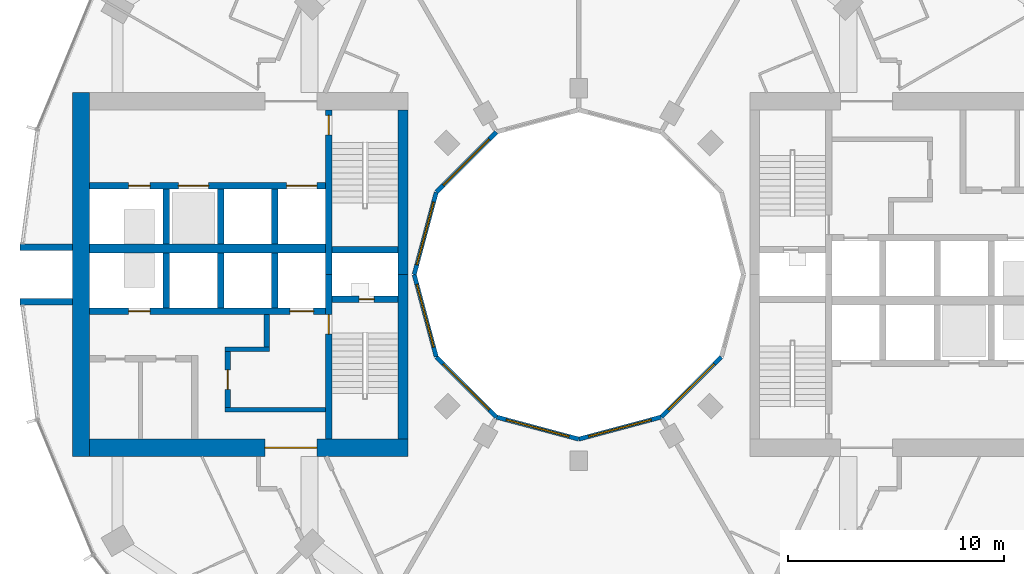
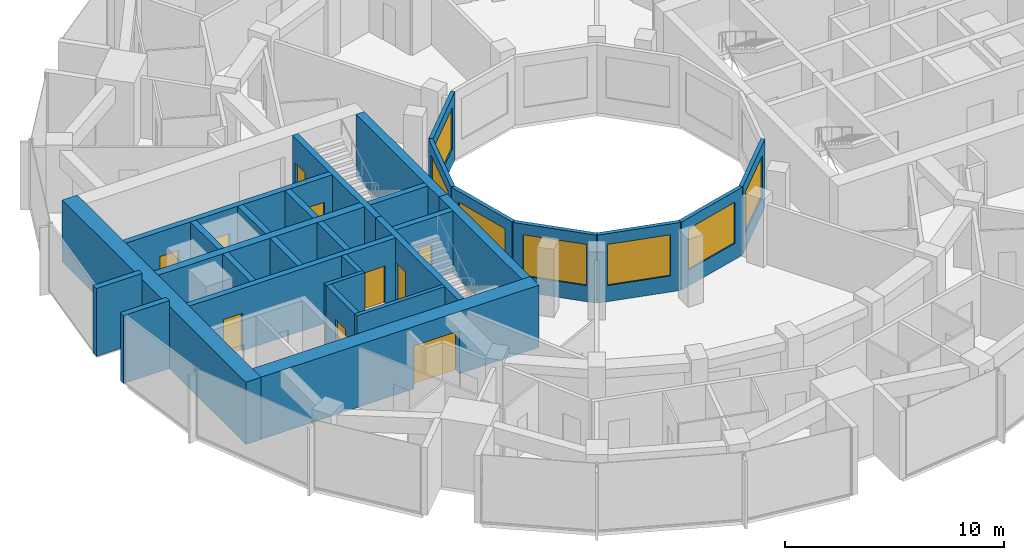
# One storey, part 9 of 15: 30 walls, 10 doors, 7 windows, 17 openings.
"""IFC4 building model written with IfcOpenShell, lengths in metres."""

from ifc_helpers import new_model, si_unit, direction, frame, frame_2d, origin, place, context, subcontext, project, spatial, rectangle, extrude, material, layer, layer_set, type_object, element, fill, save


model = new_model("IFC4")

# Units and contexts
model_context = context("Model", 3, precision=1e-05, world=origin(), true_north=direction((0.0, 1.0)))
body_context = subcontext(model_context, "Body", "Model", "MODEL_VIEW")
ifc_project = project(units=[si_unit("LENGTHUNIT", "METRE"), si_unit("AREAUNIT", "SQUARE_METRE"), si_unit("VOLUMEUNIT", "CUBIC_METRE"), si_unit("PLANEANGLEUNIT", "RADIAN"), si_unit("MASSUNIT", "GRAM", prefix="KILO")], contexts=[model_context])

# Site, building, storey
site_placement = place(None, origin())
site = spatial("IfcSite", under=ifc_project, at=site_placement, CompositionType="ELEMENT")
building_placement = place(site_placement, origin())
building = spatial("IfcBuilding", under=site, at=building_placement, Name="Torre Brocal", CompositionType="ELEMENT")
storey_placement = place(building_placement, frame((0.0, 0.0, 90.0)))
storey = spatial("IfcBuildingStorey", under=building, at=storey_placement, Name="L20", CompositionType="ELEMENT", Elevation=90.0)

# Walls
ifc_material_1 = material(Name="Concrete C80", Category="concrete")
ifc_layer_1 = layer(ifc_material_1, 0.199951171875)
ifc_layer_set_1 = layer_set([ifc_layer_1], Name="Concrete C80")
wall_type_1 = type_object("IfcWallType", Name="CORE WALL 200 C80", PredefinedType="SHEAR", material=ifc_layer_set_1)
wall_1_placement = place(storey_placement, frame((68.300048828125, 68.75, 0.0), z_axis=(0.0, 0.0, 1.0), x_axis=(-1.0, 0.0, 0.0)))
element("IfcWall", 1, at=wall_1_placement, inside=storey, type_object=wall_type_1, Name="Wall CW200-80", PredefinedType="SHEAR", context=body_context, shape_type="SweptSolid", body=[
    extrude(rectangle(XDim=4.650146484375, YDim=0.199951171875, at=frame_2d((2.3251953125, 0.0))), origin(), (0.0, 0.0, 1.0), 3.47998046875),
])
wall_2_placement = place(storey_placement, frame((65.699951171875, 71.550048828125, 0.0), z_axis=(0.0, 0.0, 1.0), x_axis=(-1.0, 0.0, 0.0)))
element("IfcWall", 2, at=wall_2_placement, inside=storey, type_object=wall_type_1, Name="Wall CW200-80", PredefinedType="SHEAR", context=body_context, shape_type="SweptSolid", body=[
    extrude(rectangle(XDim=2.050048828125, YDim=0.199951171875, at=frame_2d((1.02490234375, 0.0))), origin(), (0.0, 0.0, 1.0), 3.47998046875),
])

# Wall, opening, door
ifc_material_2 = material(Name="Concrete C80", Category="concrete")
ifc_layer_2 = layer(ifc_material_2, 0.25)
ifc_layer_set_2 = layer_set([ifc_layer_2], Name="Concrete C80")
wall_type_2 = type_object("IfcWallType", Name="CORE WALL 250 C80", PredefinedType="SHEAR", material=ifc_layer_set_2)
wall_3_placement = place(storey_placement, frame((63.77490234375, 71.449951171875, 0.0), z_axis=(0.0, 0.0, 1.0), x_axis=(0.0, -1.0, 0.0)))
wall_3 = element("IfcWall", 3, at=wall_3_placement, inside=storey, type_object=wall_type_2, Name="Wall CW250-80", PredefinedType="SHEAR", context=body_context, shape_type="SweptSolid", body=[
    extrude(rectangle(XDim=2.599853515625, YDim=0.25, at=frame_2d((1.2998046875, 0.0))), origin(), (0.0, 0.0, 1.0), 3.47998046875),
])
opening_1_placement = place(wall_3_placement, frame((0.85009765625, 0.0, 0.0)))
opening_1 = element("IfcOpeningElement", 4, at=opening_1_placement, cuts=wall_3, Name="Opening W-D15", PredefinedType="OPENING", context=body_context, shape_type="SweptSolid", body=[
    extrude(rectangle(XDim=0.89990234375, YDim=2.10009765625, at=frame_2d((0.449951171875, 1.050048828125))), frame((0.0, 0.135009765625, 0.0), z_axis=(0.0, -1.0, 0.0), x_axis=(1.0, 0.0, 0.0)), (0.0, 0.0, 1.0), 0.27001953125),
])
ifc_material_3 = material(Name="Steel A653", Category="steel")
door_type_1 = type_object("IfcDoorType", Name="LOBBY DOOR FD120 900X2100", OperationType="SINGLE_SWING_RIGHT", PredefinedType="DOOR", material=ifc_material_3)
door_1_placement = place(opening_1_placement, origin())
door_1 = element("IfcDoor", 5, at=door_1_placement, inside=storey, type_object=door_type_1, Name="Door W-D15", OperationType="SINGLE_SWING_LEFT", OverallHeight=2.10009765625, OverallWidth=0.89990234375, PredefinedType="DOOR", context=body_context, shape_type="SweptSolid", body=[
    extrude(rectangle(XDim=0.89990234375, YDim=2.10009765625, at=frame_2d((0.449951171875, 1.050048828125))), frame((0.0, 0.02490234375, 0.0), z_axis=(0.0, -1.0, 0.0), x_axis=(1.0, 0.0, 0.0)), (0.0, 0.0, 1.0), 0.050048828125),
])
fill(opening_1, door_1)

# Wall
wall_4_placement = place(storey_placement, frame((65.574951171875, 73.14990234375, 0.0), z_axis=(0.0, 0.0, 1.0), x_axis=(0.0, -1.0, 0.0)))
element("IfcWall", 6, at=wall_4_placement, inside=storey, type_object=wall_type_2, Name="Wall CW250-80", PredefinedType="SHEAR", context=body_context, shape_type="SweptSolid", body=[
    extrude(rectangle(XDim=1.5, YDim=0.25, at=frame_2d((0.75, 0.0))), origin(), (0.0, 0.0, 1.0), 3.47998046875),
])

# Wall, opening, door
ifc_material_4 = material(Name="Concrete C80", Category="concrete")
ifc_layer_3 = layer(ifc_material_4, 0.300048828125)
ifc_layer_set_3 = layer_set([ifc_layer_3], Name="Concrete C80")
wall_type_3 = type_object("IfcWallType", Name="CORE WALL 300 C80", PredefinedType="SHEAR", material=ifc_layer_set_3)
wall_5_placement = place(storey_placement, frame((68.449951171875, 75.0, 0.0), z_axis=(0.0, 0.0, 1.0), x_axis=(0.0, -1.0, 0.0)))
wall_5 = element("IfcWall", 7, at=wall_5_placement, inside=storey, type_object=wall_type_3, Name="Wall CW300-80", PredefinedType="SHEAR", context=body_context, shape_type="SweptSolid", body=[
    extrude(rectangle(XDim=7.60009765625, YDim=0.300048828125, at=frame_2d((3.800048828125, 0.0))), origin(), (0.0, 0.0, 1.0), 3.47998046875),
])
opening_2_placement = place(wall_5_placement, frame((1.85009765625, 0.0, 0.0)))
opening_2 = element("IfcOpeningElement", 8, at=opening_2_placement, cuts=wall_5, Name="Opening W-D02", PredefinedType="OPENING", context=body_context, shape_type="SweptSolid", body=[
    extrude(rectangle(XDim=0.89990234375, YDim=2.10009765625, at=frame_2d((0.449951171875, 1.050048828125))), frame((0.0, 0.159912109375, 0.0), z_axis=(0.0, -1.0, 0.0), x_axis=(1.0, 0.0, 0.0)), (0.0, 0.0, 1.0), 0.320068359375),
])
ifc_material_5 = material(Name="Steel A653", Category="steel")
door_type_2 = type_object("IfcDoorType", Name="STAIR DOOR FD120 900X2100", OperationType="SINGLE_SWING_RIGHT", PredefinedType="DOOR", material=ifc_material_5)
door_2_placement = place(opening_2_placement, origin())
door_2 = element("IfcDoor", 9, at=door_2_placement, inside=storey, type_object=door_type_2, Name="Door W-D02", OperationType="SINGLE_SWING_LEFT", OverallHeight=2.10009765625, OverallWidth=0.89990234375, PredefinedType="DOOR", context=body_context, shape_type="SweptSolid", body=[
    extrude(rectangle(XDim=0.89990234375, YDim=2.10009765625, at=frame_2d((0.449951171875, 1.050048828125))), frame((0.0, 0.02490234375, 0.0), z_axis=(0.0, -1.0, 0.0), x_axis=(1.0, 0.0, 0.0)), (0.0, 0.0, 1.0), 0.050048828125),
])
fill(opening_2, door_2)

wall_6_placement = place(storey_placement, frame((68.449951171875, 82.60009765625, 0.0), z_axis=(0.0, 0.0, 1.0), x_axis=(0.0, -1.0, 0.0)))
wall_6 = element("IfcWall", 10, at=wall_6_placement, inside=storey, type_object=wall_type_3, Name="Wall CW300-80", PredefinedType="SHEAR", context=body_context, shape_type="SweptSolid", body=[
    extrude(rectangle(XDim=7.60009765625, YDim=0.300048828125, at=frame_2d((3.800048828125, 0.0))), origin(), (0.0, 0.0, 1.0), 3.47998046875),
])
opening_3_placement = place(wall_6_placement, frame((0.25, 0.0, 0.0)))
opening_3 = element("IfcOpeningElement", 11, at=opening_3_placement, cuts=wall_6, Name="Opening W-D03", PredefinedType="OPENING", context=body_context, shape_type="SweptSolid", body=[
    extrude(rectangle(XDim=0.89990234375, YDim=2.10009765625, at=frame_2d((0.449951171875, 1.050048828125))), frame((0.0, 0.159912109375, 0.0), z_axis=(0.0, -1.0, 0.0), x_axis=(1.0, 0.0, 0.0)), (0.0, 0.0, 1.0), 0.320068359375),
])
door_3_placement = place(opening_3_placement, origin())
door_3 = element("IfcDoor", 12, at=door_3_placement, inside=storey, type_object=door_type_2, Name="Door W-D03", OperationType="SINGLE_SWING_LEFT", OverallHeight=2.10009765625, OverallWidth=0.89990234375, PredefinedType="DOOR", context=body_context, shape_type="SweptSolid", body=[
    extrude(rectangle(XDim=0.89990234375, YDim=2.10009765625, at=frame_2d((0.449951171875, 1.050048828125))), frame((0.0, 0.02490234375, 0.0), z_axis=(0.0, -1.0, 0.0), x_axis=(1.0, 0.0, 0.0)), (0.0, 0.0, 1.0), 0.050048828125),
])
fill(opening_3, door_3)

wall_7_placement = place(storey_placement, frame((71.64990234375, 73.85009765625, 0.0), z_axis=(0.0, 0.0, 1.0), x_axis=(-1.0, 0.0, 0.0)))
wall_7 = element("IfcWall", 13, at=wall_7_placement, inside=storey, type_object=wall_type_3, Name="Wall CW300-80", PredefinedType="SHEAR", context=body_context, shape_type="SweptSolid", body=[
    extrude(rectangle(XDim=3.0498046875, YDim=0.300048828125, at=frame_2d((1.52490234375, 0.0))), origin(), (0.0, 0.0, 1.0), 3.47998046875),
])
opening_4_placement = place(wall_7_placement, frame((1.10009765625, 0.0, 0.0)))
opening_4 = element("IfcOpeningElement", 14, at=opening_4_placement, cuts=wall_7, Name="Opening W-D01", PredefinedType="OPENING", context=body_context, shape_type="SweptSolid", body=[
    extrude(rectangle(XDim=0.699951171875, YDim=2.0, at=frame_2d((0.35009765625, 1.0))), frame((0.0, 0.159912109375, 0.0), z_axis=(0.0, -1.0, 0.0), x_axis=(1.0, 0.0, 0.0)), (0.0, 0.0, 1.0), 0.320068359375),
])
ifc_material_6 = material(Name="Steel A653", Category="steel")
door_type_3 = type_object("IfcDoorType", Name="RISER DOOR FD120 700X2000", OperationType="SINGLE_SWING_LEFT", PredefinedType="DOOR", material=ifc_material_6)
door_4_placement = place(opening_4_placement, frame((0.699951171875, 0.0, 0.0), z_axis=(0.0, 0.0, 1.0), x_axis=(-1.0, 0.0, 0.0)))
door_4 = element("IfcDoor", 15, at=door_4_placement, inside=storey, type_object=door_type_3, Name="Door W-D01", OperationType="SINGLE_SWING_RIGHT", OverallHeight=2.0, OverallWidth=0.699951171875, PredefinedType="DOOR", context=body_context, shape_type="SweptSolid", body=[
    extrude(rectangle(XDim=0.699951171875, YDim=2.0, at=frame_2d((0.35009765625, 1.0))), frame((0.0, 0.02490234375, 0.0), z_axis=(0.0, -1.0, 0.0), x_axis=(1.0, 0.0, 0.0)), (0.0, 0.0, 1.0), 0.050048828125),
])
fill(opening_4, door_4)

# Wall
wall_8_placement = place(storey_placement, frame((71.64990234375, 76.14990234375, 0.0), z_axis=(0.0, 0.0, 1.0), x_axis=(-1.0, 0.0, 0.0)))
element("IfcWall", 16, at=wall_8_placement, inside=storey, type_object=wall_type_3, Name="Wall CW300-80", PredefinedType="SHEAR", context=body_context, shape_type="SweptSolid", body=[
    extrude(rectangle(XDim=3.0498046875, YDim=0.300048828125, at=frame_2d((1.52490234375, 0.0))), origin(), (0.0, 0.0, 1.0), 3.47998046875),
])

# Wall, openings, doors
wall_9_placement = place(storey_placement, frame((68.300048828125, 73.300048828125, 0.0), z_axis=(0.0, 0.0, 1.0), x_axis=(-1.0, 0.0, 0.0)))
wall_9 = element("IfcWall", 17, at=wall_9_placement, inside=storey, type_object=wall_type_3, Name="Wall CW300-80", PredefinedType="SHEAR", context=body_context, shape_type="SweptSolid", body=[
    extrude(rectangle(XDim=10.900146484375, YDim=0.300048828125, at=frame_2d((5.4501953125, 0.0))), origin(), (0.0, 0.0, 1.0), 3.47998046875),
])
opening_5_placement = place(wall_9_placement, frame((0.550048828125, 0.0, 0.0)))
opening_5 = element("IfcOpeningElement", 18, at=opening_5_placement, cuts=wall_9, Name="Opening LD", PredefinedType="OPENING", context=body_context, shape_type="SweptSolid", body=[
    extrude(rectangle(XDim=1.10009765625, YDim=2.10009765625, at=frame_2d((0.550048828125, 1.050048828125))), frame((0.0, 0.159912109375, 0.0), z_axis=(0.0, -1.0, 0.0), x_axis=(1.0, 0.0, 0.0)), (0.0, 0.0, 1.0), 0.320068359375),
])
opening_6_placement = place(wall_9_placement, frame((8.10009765625, 0.0, 0.0)))
opening_6 = element("IfcOpeningElement", 19, at=opening_6_placement, cuts=wall_9, Name="Opening LD10", PredefinedType="OPENING", context=body_context, shape_type="SweptSolid", body=[
    extrude(rectangle(XDim=1.0, YDim=2.10009765625, at=frame_2d((0.5, 1.050048828125))), frame((0.0, 0.159912109375, 0.0), z_axis=(0.0, -1.0, 0.0), x_axis=(1.0, 0.0, 0.0)), (0.0, 0.0, 1.0), 0.320068359375),
])
ifc_material_7 = material(Name="Stainless steel AISI 316", Category="steel")
door_type_4 = type_object("IfcDoorType", Name="LIFT LANDING DOOR 1000X2100", OperationType="DOUBLE_DOOR_SLIDING", PredefinedType="DOOR", material=ifc_material_7)
door_5_placement = place(opening_6_placement, origin())
door_5 = element("IfcDoor", 20, at=door_5_placement, inside=storey, type_object=door_type_4, Name="Door LD10", OperationType="DOUBLE_DOOR_SLIDING", OverallHeight=2.10009765625, OverallWidth=1.0, PredefinedType="DOOR", context=body_context, shape_type="SweptSolid", body=[
    extrude(rectangle(XDim=1.0, YDim=2.10009765625, at=frame_2d((0.5, 1.050048828125))), frame((0.0, 0.02490234375, 0.0), z_axis=(0.0, -1.0, 0.0), x_axis=(1.0, 0.0, 0.0)), (0.0, 0.0, 1.0), 0.050048828125),
])
fill(opening_6, door_5)
ifc_material_8 = material(Name="Stainless steel AISI 316", Category="steel")
door_type_5 = type_object("IfcDoorType", Name="LIFT LANDING DOOR 1100X2100", OperationType="DOUBLE_DOOR_SLIDING", PredefinedType="DOOR", material=ifc_material_8)
door_6_placement = place(opening_5_placement, origin())
door_6 = element("IfcDoor", 21, at=door_6_placement, inside=storey, type_object=door_type_5, Name="Door LD", OperationType="DOUBLE_DOOR_SLIDING", OverallHeight=2.10009765625, OverallWidth=1.10009765625, PredefinedType="DOOR", context=body_context, shape_type="SweptSolid", body=[
    extrude(rectangle(XDim=1.10009765625, YDim=2.10009765625, at=frame_2d((0.550048828125, 1.050048828125))), frame((0.0, 0.02490234375, 0.0), z_axis=(0.0, -1.0, 0.0), x_axis=(1.0, 0.0, 0.0)), (0.0, 0.0, 1.0), 0.050048828125),
])
fill(opening_5, door_6)

wall_10_placement = place(storey_placement, frame((68.300048828125, 79.10009765625, 0.0), z_axis=(0.0, 0.0, 1.0), x_axis=(-1.0, 0.0, 0.0)))
wall_10 = element("IfcWall", 22, at=wall_10_placement, inside=storey, type_object=wall_type_3, Name="Wall CW300-80", PredefinedType="SHEAR", context=body_context, shape_type="SweptSolid", body=[
    extrude(rectangle(XDim=10.900146484375, YDim=0.300048828125, at=frame_2d((5.4501953125, 0.0))), origin(), (0.0, 0.0, 1.0), 3.47998046875),
])
opening_7_placement = place(wall_10_placement, frame((0.39990234375, 0.0, 0.0)))
opening_7 = element("IfcOpeningElement", 23, at=opening_7_placement, cuts=wall_10, Name="Opening LD14", PredefinedType="OPENING", context=body_context, shape_type="SweptSolid", body=[
    extrude(rectangle(XDim=1.39990234375, YDim=2.10009765625, at=frame_2d((0.699951171875, 1.050048828125))), frame((0.0, 0.159912109375, 0.0), z_axis=(0.0, -1.0, 0.0), x_axis=(1.0, 0.0, 0.0)), (0.0, 0.0, 1.0), 0.320068359375),
])
opening_8_placement = place(wall_10_placement, frame((5.39990234375, 0.0, 0.0)))
opening_8 = element("IfcOpeningElement", 24, at=opening_8_placement, cuts=wall_10, Name="Opening LD14", PredefinedType="OPENING", context=body_context, shape_type="SweptSolid", body=[
    extrude(rectangle(XDim=1.39990234375, YDim=2.10009765625, at=frame_2d((0.699951171875, 1.050048828125))), frame((0.0, 0.159912109375, 0.0), z_axis=(0.0, -1.0, 0.0), x_axis=(1.0, 0.0, 0.0)), (0.0, 0.0, 1.0), 0.320068359375),
])
opening_9_placement = place(wall_10_placement, frame((8.10009765625, 0.0, 0.0)))
opening_9 = element("IfcOpeningElement", 25, at=opening_9_placement, cuts=wall_10, Name="Opening LD10", PredefinedType="OPENING", context=body_context, shape_type="SweptSolid", body=[
    extrude(rectangle(XDim=1.0, YDim=2.10009765625, at=frame_2d((0.5, 1.050048828125))), frame((0.0, 0.159912109375, 0.0), z_axis=(0.0, -1.0, 0.0), x_axis=(1.0, 0.0, 0.0)), (0.0, 0.0, 1.0), 0.320068359375),
])
door_7_placement = place(opening_9_placement, origin())
door_7 = element("IfcDoor", 26, at=door_7_placement, inside=storey, type_object=door_type_4, Name="Door LD10", OperationType="DOUBLE_DOOR_SLIDING", OverallHeight=2.10009765625, OverallWidth=1.0, PredefinedType="DOOR", context=body_context, shape_type="SweptSolid", body=[
    extrude(rectangle(XDim=1.0, YDim=2.10009765625, at=frame_2d((0.5, 1.050048828125))), frame((0.0, 0.02490234375, 0.0), z_axis=(0.0, -1.0, 0.0), x_axis=(1.0, 0.0, 0.0)), (0.0, 0.0, 1.0), 0.050048828125),
])
fill(opening_9, door_7)
ifc_material_9 = material(Name="Stainless steel AISI 316", Category="steel")
door_type_6 = type_object("IfcDoorType", Name="LIFT LANDING DOOR 1400X2100", OperationType="DOUBLE_DOOR_SLIDING", PredefinedType="DOOR", material=ifc_material_9)
door_8_placement = place(opening_7_placement, origin())
door_8 = element("IfcDoor", 27, at=door_8_placement, inside=storey, type_object=door_type_6, Name="Door LD14", OperationType="DOUBLE_DOOR_SLIDING", OverallHeight=2.10009765625, OverallWidth=1.39990234375, PredefinedType="DOOR", context=body_context, shape_type="SweptSolid", body=[
    extrude(rectangle(XDim=1.39990234375, YDim=2.10009765625, at=frame_2d((0.699951171875, 1.050048828125))), frame((0.0, 0.02490234375, 0.0), z_axis=(0.0, -1.0, 0.0), x_axis=(1.0, 0.0, 0.0)), (0.0, 0.0, 1.0), 0.050048828125),
])
fill(opening_7, door_8)
door_9_placement = place(opening_8_placement, origin())
door_9 = element("IfcDoor", 28, at=door_9_placement, inside=storey, type_object=door_type_6, Name="Door LD14", OperationType="DOUBLE_DOOR_SLIDING", OverallHeight=2.10009765625, OverallWidth=1.39990234375, PredefinedType="DOOR", context=body_context, shape_type="SweptSolid", body=[
    extrude(rectangle(XDim=1.39990234375, YDim=2.10009765625, at=frame_2d((0.699951171875, 1.050048828125))), frame((0.0, 0.02490234375, 0.0), z_axis=(0.0, -1.0, 0.0), x_axis=(1.0, 0.0, 0.0)), (0.0, 0.0, 1.0), 0.050048828125),
])
fill(opening_8, door_9)

# Walls
for number, where, z_axis, x_axis, name in (
    (29, (65.949951171875, 76.0, 0.0), (0.0, 0.0, 1.0), (0.0, -1.0, 0.0), "Wall CW300-80"),
    (30, (63.449951171875, 76.0, 0.0), (0.0, 0.0, 1.0), (0.0, -1.0, 0.0), "Wall CW300-80"),
    (31, (60.949951171875, 76.0, 0.0), (0.0, 0.0, 1.0), (0.0, -1.0, 0.0), "Wall CW300-80"),
    (32, (65.949951171875, 78.949951171875, 0.0), (0.0, 0.0, 1.0), (0.0, -1.0, 0.0), "Wall CW300-80"),
    (33, (63.449951171875, 78.949951171875, 0.0), (0.0, 0.0, 1.0), (0.0, -1.0, 0.0), "Wall CW300-80"),
    (34, (60.949951171875, 78.949951171875, 0.0), (0.0, 0.0, 1.0), (0.0, -1.0, 0.0), "Wall CW300-80"),
):
    element("IfcWall", number, at=place(storey_placement, frame(where, z_axis=z_axis, x_axis=x_axis)), inside=storey, type_object=wall_type_3, Name=name, PredefinedType="SHEAR", context=body_context, shape_type="SweptSolid", body=[
        extrude(rectangle(XDim=2.550048828125, YDim=0.300048828125, at=frame_2d((1.27490234375, 0.0))), origin(), (0.0, 0.0, 1.0), 3.47998046875),
    ])
ifc_material_10 = material(Name="Concrete C80", Category="concrete")
ifc_layer_4 = layer(ifc_material_10, 0.39990234375)
ifc_layer_set_4 = layer_set([ifc_layer_4], Name="Concrete C80")
wall_type_4 = type_object("IfcWallType", Name="CORE WALL 400 C80", PredefinedType="SHEAR", material=ifc_layer_set_4)
wall_11_placement = place(storey_placement, frame((68.300048828125, 76.199951171875, 0.0), z_axis=(0.0, 0.0, 1.0), x_axis=(-1.0, 0.0, 0.0)))
element("IfcWall", 35, at=wall_11_placement, inside=storey, type_object=wall_type_4, Name="Wall CW400-80", PredefinedType="SHEAR", context=body_context, shape_type="SweptSolid", body=[
    extrude(rectangle(XDim=10.900146484375, YDim=0.39990234375, at=frame_2d((5.4501953125, 0.0))), origin(), (0.0, 0.0, 1.0), 3.47998046875),
])
ifc_material_11 = material(Name="Concrete C80", Category="concrete")
ifc_layer_5 = layer(ifc_material_11, 0.449951171875)
ifc_layer_set_5 = layer_set([ifc_layer_5], Name="Concrete C80")
wall_type_5 = type_object("IfcWallType", Name="CORE WALL 450 C80", PredefinedType="SHEAR", material=ifc_layer_set_5)
for number, where, z_axis, x_axis, name in (
    (36, (71.875, 75.0, 0.0), (0.0, 0.0, 1.0), (0.0, -1.0, 0.0), "Wall CW450-80"),
    (37, (71.875, 82.60009765625, 0.0), (0.0, 0.0, 1.0), (0.0, -1.0, 0.0), "Wall CW450-80"),
):
    element("IfcWall", number, at=place(storey_placement, frame(where, z_axis=z_axis, x_axis=x_axis)), inside=storey, type_object=wall_type_5, Name=name, PredefinedType="SHEAR", context=body_context, shape_type="SweptSolid", body=[
        extrude(rectangle(XDim=7.60009765625, YDim=0.449951171875, at=frame_2d((3.800048828125, 0.0))), origin(), (0.0, 0.0, 1.0), 3.47998046875),
    ])

# Wall, opening, door
ifc_material_12 = material(Name="Concrete C80", Category="concrete")
ifc_layer_6 = layer(ifc_material_12, 0.800048828125)
ifc_layer_set_6 = layer_set([ifc_layer_6], Name="Concrete C80")
wall_type_6 = type_object("IfcWallType", Name="CORE WALL 800 C80", PredefinedType="SHEAR", material=ifc_layer_set_6)
wall_12_placement = place(storey_placement, frame((72.10009765625, 67.0, 0.0), z_axis=(0.0, 0.0, 1.0), x_axis=(-1.0, 0.0, 0.0)))
wall_12 = element("IfcWall", 38, at=wall_12_placement, inside=storey, type_object=wall_type_6, Name="Wall CW800-80", PredefinedType="SHEAR", context=body_context, shape_type="SweptSolid", body=[
    extrude(rectangle(XDim=14.7001953125, YDim=0.800048828125, at=frame_2d((7.35009765625, 0.0))), origin(), (0.0, 0.0, 1.0), 3.47998046875),
])
opening_10_placement = place(wall_12_placement, frame((4.199951171875, 0.0, 0.0)))
opening_10 = element("IfcOpeningElement", 39, at=opening_10_placement, cuts=wall_12, Name="Opening W-D24", PredefinedType="OPENING", context=body_context, shape_type="SweptSolid", body=[
    extrude(rectangle(XDim=2.39990234375, YDim=2.39990234375, at=frame_2d((1.199951171875, 1.199951171875))), frame((0.0, 0.409912109375, 0.0), z_axis=(0.0, -1.0, 0.0), x_axis=(1.0, 0.0, 0.0)), (0.0, 0.0, 1.0), 0.820068359375),
])
ifc_material_13 = material(Name="Steel A653", Category="steel")
door_type_7 = type_object("IfcDoorType", Name="DOUBLE FIRE DOOR FD90 2400X2400", OperationType="DOUBLE_DOOR_SINGLE_SWING", PredefinedType="DOOR", material=ifc_material_13)
door_10_placement = place(opening_10_placement, frame((2.39990234375, 0.0, 0.0), z_axis=(0.0, 0.0, 1.0), x_axis=(-1.0, 0.0, 0.0)))
door_10 = element("IfcDoor", 40, at=door_10_placement, inside=storey, type_object=door_type_7, Name="Door W-D24", OperationType="DOUBLE_DOOR_SINGLE_SWING", OverallHeight=2.39990234375, OverallWidth=2.39990234375, PredefinedType="DOOR", context=body_context, shape_type="SweptSolid", body=[
    extrude(rectangle(XDim=2.39990234375, YDim=2.39990234375, at=frame_2d((1.199951171875, 1.199951171875))), frame((0.0, 0.02490234375, 0.0), z_axis=(0.0, -1.0, 0.0), x_axis=(1.0, 0.0, 0.0)), (0.0, 0.0, 1.0), 0.050048828125),
])
fill(opening_10, door_10)

# Walls
wall_13_placement = place(storey_placement, frame((57.0, 83.39990234375, 0.0), z_axis=(0.0, 0.0, 1.0), x_axis=(0.0, -1.0, 0.0)))
element("IfcWall", 41, at=wall_13_placement, inside=storey, type_object=wall_type_6, Name="Wall CW800-80", PredefinedType="SHEAR", context=body_context, shape_type="SweptSolid", body=[
    extrude(rectangle(XDim=16.7998046875, YDim=0.800048828125, at=frame_2d((8.39990234375, 0.0))), origin(), (0.0, 0.0, 1.0), 3.47998046875),
])
ifc_material_14 = material(Name="Concrete C80", Category="concrete")
ifc_layer_7 = layer(ifc_material_14, 0.300048828125)
ifc_layer_set_7 = layer_set([ifc_layer_7], Name="Concrete C80")
wall_type_7 = type_object("IfcWallType", Name="NOTCH RETURN WALL 300 C80", PredefinedType="NOTDEFINED", material=ifc_layer_set_7)
for number, where, z_axis, x_axis, name in (
    (42, (56.60009765625, 76.25, 0.0), (0.0, 0.0, 1.0), (-1.0, 0.0, 0.0), "NOTCH RETURN WALL"),
    (43, (56.60009765625, 73.75, 0.0), (0.0, 0.0, 1.0), (-1.0, 0.0, 0.0), "NOTCH RETURN WALL"),
):
    element("IfcWall", number, at=place(storey_placement, frame(where, z_axis=z_axis, x_axis=x_axis)), inside=storey, type_object=wall_type_7, Name=name, PredefinedType="NOTDEFINED", context=body_context, shape_type="SweptSolid", body=[
        extrude(rectangle(XDim=2.415771484375, YDim=0.300048828125, at=frame_2d((1.2080078125, 0.0))), origin(), (0.0, 0.0, 1.0), 3.800048828125),
    ])

# Wall, opening, window
ifc_material_15 = material(Name="Concrete C40", Category="concrete")
ifc_layer_8 = layer(ifc_material_15, 0.199951171875)
ifc_layer_set_8 = layer_set([ifc_layer_8], Name="Concrete C40")
wall_type_8 = type_object("IfcWallType", Name="WELL FACADE WALL 200", PredefinedType="NOTDEFINED", material=ifc_layer_set_8)
wall_14_placement = place(storey_placement, frame((76.1982421875, 81.5849609375, 0.0), z_axis=(0.0, 0.0, 1.0), x_axis=(-0.707106781187, -0.707106781187, 0.0)))
wall_14 = element("IfcWall", 44, at=wall_14_placement, inside=storey, type_object=wall_type_8, Name="WELL FACADE WALL", PredefinedType="NOTDEFINED", context=body_context, shape_type="SweptSolid", body=[
    extrude(rectangle(XDim=3.93603515625, YDim=0.199951171875, at=frame_2d((1.968017578125, 0.0))), origin(), (0.0, 0.0, 1.0), 3.800048828125),
])
opening_11_placement = place(wall_14_placement, frame((0.468017578125, 0.0, 0.89990234375)))
opening_11 = element("IfcOpeningElement", 45, at=opening_11_placement, cuts=wall_14, Name="Opening W1", PredefinedType="OPENING", context=body_context, shape_type="SweptSolid", body=[
    extrude(rectangle(XDim=3.0, YDim=2.300048828125, at=frame_2d((1.5, 1.14990234375))), frame((0.0, 0.10986328125, 0.0), z_axis=(0.0, -1.0, 0.0), x_axis=(1.0, 0.0, 0.0)), (0.0, 0.0, 1.0), 0.219970703125),
])
ifc_material_16 = material(Name="Aluminium and glass", Category="aluminium")
window_type = type_object("IfcWindowType", Name="WELL WINDOW 3000X2300", PartitioningType="SINGLE_PANEL", PredefinedType="WINDOW", material=ifc_material_16)
window_1_placement = place(opening_11_placement, origin())
window_1 = element("IfcWindow", 46, at=window_1_placement, inside=storey, type_object=window_type, Name="WELL WINDOW 3000X2300", OverallHeight=2.300048828125, OverallWidth=3.0, PartitioningType="SINGLE_PANEL", PredefinedType="WINDOW", context=body_context, shape_type="SweptSolid", body=[
    extrude(rectangle(XDim=3.0, YDim=2.300048828125, at=frame_2d((1.5, 1.14990234375))), frame((0.0, 0.030029296875, 0.0), z_axis=(0.0, -1.0, 0.0), x_axis=(1.0, 0.0, 0.0)), (0.0, 0.0, 1.0), 0.06005859375),
])
fill(opening_11, window_1)

wall_15_placement = place(storey_placement, frame((73.4150390625, 78.8017578125, 0.0), z_axis=(0.0, 0.0, 1.0), x_axis=(-0.258789828301, -0.965933654434, 0.0)))
wall_15 = element("IfcWall", 47, at=wall_15_placement, inside=storey, type_object=wall_type_8, Name="WELL FACADE WALL", PredefinedType="NOTDEFINED", context=body_context, shape_type="SweptSolid", body=[
    extrude(rectangle(XDim=3.935791015625, YDim=0.199951171875, at=frame_2d((1.9677734375, 0.0))), origin(), (0.0, 0.0, 1.0), 3.800048828125),
])
opening_12_placement = place(wall_15_placement, frame((0.468017578125, 0.0, 0.89990234375)))
opening_12 = element("IfcOpeningElement", 48, at=opening_12_placement, cuts=wall_15, Name="Opening W1", PredefinedType="OPENING", context=body_context, shape_type="SweptSolid", body=[
    extrude(rectangle(XDim=3.0, YDim=2.300048828125, at=frame_2d((1.5, 1.14990234375))), frame((0.0, 0.10986328125, 0.0), z_axis=(0.0, -1.0, 0.0), x_axis=(1.0, 0.0, 0.0)), (0.0, 0.0, 1.0), 0.219970703125),
])
window_2_placement = place(opening_12_placement, origin())
window_2 = element("IfcWindow", 49, at=window_2_placement, inside=storey, type_object=window_type, Name="WELL WINDOW 3000X2300", OverallHeight=2.300048828125, OverallWidth=3.0, PartitioningType="SINGLE_PANEL", PredefinedType="WINDOW", context=body_context, shape_type="SweptSolid", body=[
    extrude(rectangle(XDim=3.0, YDim=2.300048828125, at=frame_2d((1.5, 1.14990234375))), frame((0.0, 0.030029296875, 0.0), z_axis=(0.0, -1.0, 0.0), x_axis=(1.0, 0.0, 0.0)), (0.0, 0.0, 1.0), 0.06005859375),
])
fill(opening_12, window_2)

wall_16_placement = place(storey_placement, frame((72.396484375, 75.0, 0.0), z_axis=(0.0, 0.0, 1.0), x_axis=(0.258789828301, -0.965933654434, 0.0)))
wall_16 = element("IfcWall", 50, at=wall_16_placement, inside=storey, type_object=wall_type_8, Name="WELL FACADE WALL", PredefinedType="NOTDEFINED", context=body_context, shape_type="SweptSolid", body=[
    extrude(rectangle(XDim=3.935791015625, YDim=0.199951171875, at=frame_2d((1.9677734375, 0.0))), origin(), (0.0, 0.0, 1.0), 3.800048828125),
])
opening_13_placement = place(wall_16_placement, frame((0.468017578125, 0.0, 0.89990234375)))
opening_13 = element("IfcOpeningElement", 51, at=opening_13_placement, cuts=wall_16, Name="Opening W1", PredefinedType="OPENING", context=body_context, shape_type="SweptSolid", body=[
    extrude(rectangle(XDim=3.0, YDim=2.300048828125, at=frame_2d((1.5, 1.14990234375))), frame((0.0, 0.10986328125, 0.0), z_axis=(0.0, -1.0, 0.0), x_axis=(1.0, 0.0, 0.0)), (0.0, 0.0, 1.0), 0.219970703125),
])
window_3_placement = place(opening_13_placement, origin())
window_3 = element("IfcWindow", 52, at=window_3_placement, inside=storey, type_object=window_type, Name="WELL WINDOW 3000X2300", OverallHeight=2.300048828125, OverallWidth=3.0, PartitioningType="SINGLE_PANEL", PredefinedType="WINDOW", context=body_context, shape_type="SweptSolid", body=[
    extrude(rectangle(XDim=3.0, YDim=2.300048828125, at=frame_2d((1.5, 1.14990234375))), frame((0.0, 0.030029296875, 0.0), z_axis=(0.0, -1.0, 0.0), x_axis=(1.0, 0.0, 0.0)), (0.0, 0.0, 1.0), 0.06005859375),
])
fill(opening_13, window_3)

wall_17_placement = place(storey_placement, frame((73.4150390625, 71.1982421875, 0.0), z_axis=(0.0, 0.0, 1.0), x_axis=(0.707106781187, -0.707106781187, 0.0)))
wall_17 = element("IfcWall", 53, at=wall_17_placement, inside=storey, type_object=wall_type_8, Name="WELL FACADE WALL", PredefinedType="NOTDEFINED", context=body_context, shape_type="SweptSolid", body=[
    extrude(rectangle(XDim=3.93603515625, YDim=0.199951171875, at=frame_2d((1.968017578125, 0.0))), origin(), (0.0, 0.0, 1.0), 3.800048828125),
])
opening_14_placement = place(wall_17_placement, frame((0.468017578125, 0.0, 0.89990234375)))
opening_14 = element("IfcOpeningElement", 54, at=opening_14_placement, cuts=wall_17, Name="Opening W1", PredefinedType="OPENING", context=body_context, shape_type="SweptSolid", body=[
    extrude(rectangle(XDim=3.0, YDim=2.300048828125, at=frame_2d((1.5, 1.14990234375))), frame((0.0, 0.10986328125, 0.0), z_axis=(0.0, -1.0, 0.0), x_axis=(1.0, 0.0, 0.0)), (0.0, 0.0, 1.0), 0.219970703125),
])
window_4_placement = place(opening_14_placement, origin())
window_4 = element("IfcWindow", 55, at=window_4_placement, inside=storey, type_object=window_type, Name="WELL WINDOW 3000X2300", OverallHeight=2.300048828125, OverallWidth=3.0, PartitioningType="SINGLE_PANEL", PredefinedType="WINDOW", context=body_context, shape_type="SweptSolid", body=[
    extrude(rectangle(XDim=3.0, YDim=2.300048828125, at=frame_2d((1.5, 1.14990234375))), frame((0.0, 0.030029296875, 0.0), z_axis=(0.0, -1.0, 0.0), x_axis=(1.0, 0.0, 0.0)), (0.0, 0.0, 1.0), 0.06005859375),
])
fill(opening_14, window_4)

wall_18_placement = place(storey_placement, frame((76.1982421875, 68.4150390625, 0.0), z_axis=(0.0, 0.0, 1.0), x_axis=(0.965933654434, -0.258789828301, 0.0)))
wall_18 = element("IfcWall", 56, at=wall_18_placement, inside=storey, type_object=wall_type_8, Name="WELL FACADE WALL", PredefinedType="NOTDEFINED", context=body_context, shape_type="SweptSolid", body=[
    extrude(rectangle(XDim=3.935791015625, YDim=0.199951171875, at=frame_2d((1.9677734375, 0.0))), origin(), (0.0, 0.0, 1.0), 3.800048828125),
])
opening_15_placement = place(wall_18_placement, frame((0.468017578125, 0.0, 0.89990234375)))
opening_15 = element("IfcOpeningElement", 57, at=opening_15_placement, cuts=wall_18, Name="Opening W1", PredefinedType="OPENING", context=body_context, shape_type="SweptSolid", body=[
    extrude(rectangle(XDim=3.0, YDim=2.300048828125, at=frame_2d((1.5, 1.14990234375))), frame((0.0, 0.10986328125, 0.0), z_axis=(0.0, -1.0, 0.0), x_axis=(1.0, 0.0, 0.0)), (0.0, 0.0, 1.0), 0.219970703125),
])
window_5_placement = place(opening_15_placement, origin())
window_5 = element("IfcWindow", 58, at=window_5_placement, inside=storey, type_object=window_type, Name="WELL WINDOW 3000X2300", OverallHeight=2.300048828125, OverallWidth=3.0, PartitioningType="SINGLE_PANEL", PredefinedType="WINDOW", context=body_context, shape_type="SweptSolid", body=[
    extrude(rectangle(XDim=3.0, YDim=2.300048828125, at=frame_2d((1.5, 1.14990234375))), frame((0.0, 0.030029296875, 0.0), z_axis=(0.0, -1.0, 0.0), x_axis=(1.0, 0.0, 0.0)), (0.0, 0.0, 1.0), 0.06005859375),
])
fill(opening_15, window_5)

wall_19_placement = place(storey_placement, frame((80.0, 67.396484375, 0.0), z_axis=(0.0, 0.0, 1.0), x_axis=(0.965933654434, 0.258789828301, 0.0)))
wall_19 = element("IfcWall", 59, at=wall_19_placement, inside=storey, type_object=wall_type_8, Name="WELL FACADE WALL", PredefinedType="NOTDEFINED", context=body_context, shape_type="SweptSolid", body=[
    extrude(rectangle(XDim=3.935791015625, YDim=0.199951171875, at=frame_2d((1.9677734375, 0.0))), origin(), (0.0, 0.0, 1.0), 3.800048828125),
])
opening_16_placement = place(wall_19_placement, frame((0.468017578125, 0.0, 0.89990234375)))
opening_16 = element("IfcOpeningElement", 60, at=opening_16_placement, cuts=wall_19, Name="Opening W1", PredefinedType="OPENING", context=body_context, shape_type="SweptSolid", body=[
    extrude(rectangle(XDim=3.0, YDim=2.300048828125, at=frame_2d((1.5, 1.14990234375))), frame((0.0, 0.10986328125, 0.0), z_axis=(0.0, -1.0, 0.0), x_axis=(1.0, 0.0, 0.0)), (0.0, 0.0, 1.0), 0.219970703125),
])
window_6_placement = place(opening_16_placement, origin())
window_6 = element("IfcWindow", 61, at=window_6_placement, inside=storey, type_object=window_type, Name="WELL WINDOW 3000X2300", OverallHeight=2.300048828125, OverallWidth=3.0, PartitioningType="SINGLE_PANEL", PredefinedType="WINDOW", context=body_context, shape_type="SweptSolid", body=[
    extrude(rectangle(XDim=3.0, YDim=2.300048828125, at=frame_2d((1.5, 1.14990234375))), frame((0.0, 0.030029296875, 0.0), z_axis=(0.0, -1.0, 0.0), x_axis=(1.0, 0.0, 0.0)), (0.0, 0.0, 1.0), 0.06005859375),
])
fill(opening_16, window_6)

wall_20_placement = place(storey_placement, frame((83.8017578125, 68.4150390625, 0.0), z_axis=(0.0, 0.0, 1.0), x_axis=(0.707106781187, 0.707106781187, 0.0)))
wall_20 = element("IfcWall", 62, at=wall_20_placement, inside=storey, type_object=wall_type_8, Name="WELL FACADE WALL", PredefinedType="NOTDEFINED", context=body_context, shape_type="SweptSolid", body=[
    extrude(rectangle(XDim=3.93603515625, YDim=0.199951171875, at=frame_2d((1.968017578125, 0.0))), origin(), (0.0, 0.0, 1.0), 3.800048828125),
])
opening_17_placement = place(wall_20_placement, frame((0.468017578125, 0.0, 0.89990234375)))
opening_17 = element("IfcOpeningElement", 63, at=opening_17_placement, cuts=wall_20, Name="Opening W1", PredefinedType="OPENING", context=body_context, shape_type="SweptSolid", body=[
    extrude(rectangle(XDim=3.0, YDim=2.300048828125, at=frame_2d((1.5, 1.14990234375))), frame((0.0, 0.10986328125, 0.0), z_axis=(0.0, -1.0, 0.0), x_axis=(1.0, 0.0, 0.0)), (0.0, 0.0, 1.0), 0.219970703125),
])
window_7_placement = place(opening_17_placement, origin())
window_7 = element("IfcWindow", 64, at=window_7_placement, inside=storey, type_object=window_type, Name="WELL WINDOW 3000X2300", OverallHeight=2.300048828125, OverallWidth=3.0, PartitioningType="SINGLE_PANEL", PredefinedType="WINDOW", context=body_context, shape_type="SweptSolid", body=[
    extrude(rectangle(XDim=3.0, YDim=2.300048828125, at=frame_2d((1.5, 1.14990234375))), frame((0.0, 0.030029296875, 0.0), z_axis=(0.0, -1.0, 0.0), x_axis=(1.0, 0.0, 0.0)), (0.0, 0.0, 1.0), 0.06005859375),
])
fill(opening_17, window_7)

save(model, "model.ifc")
